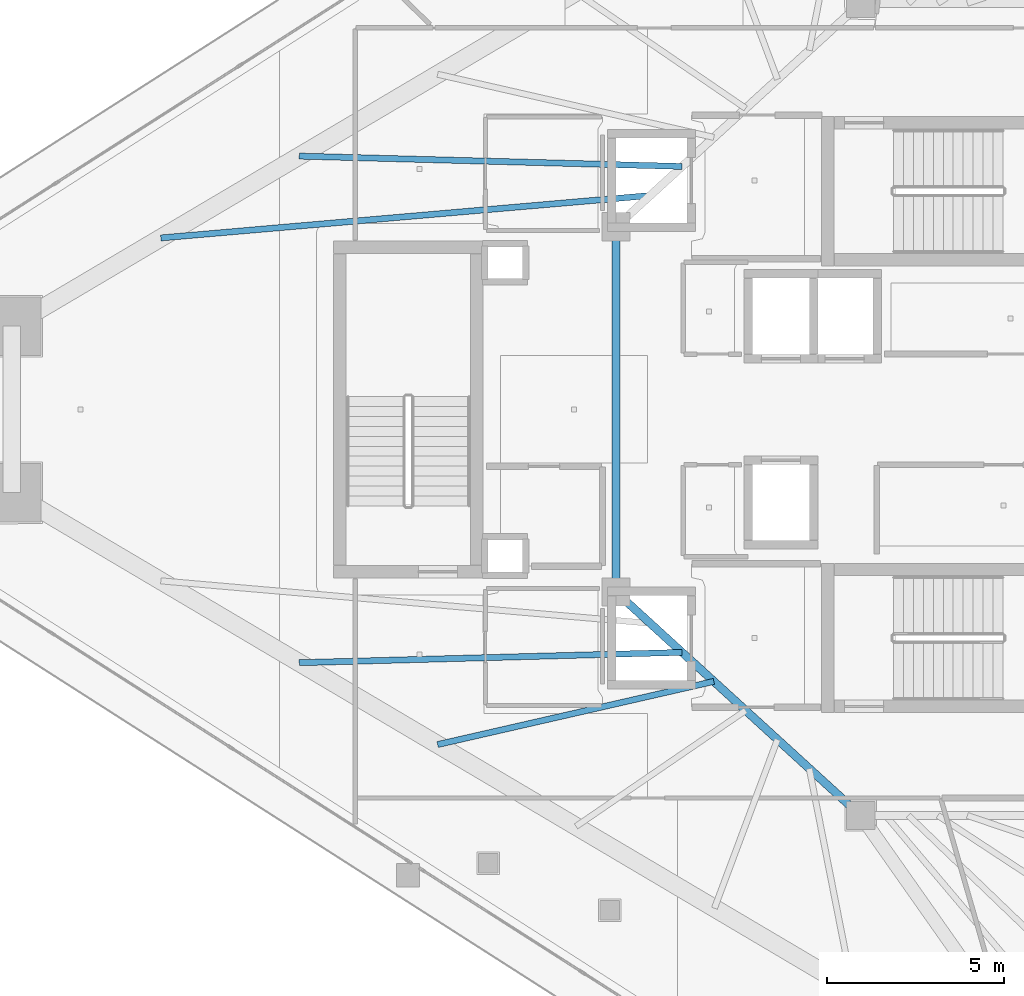
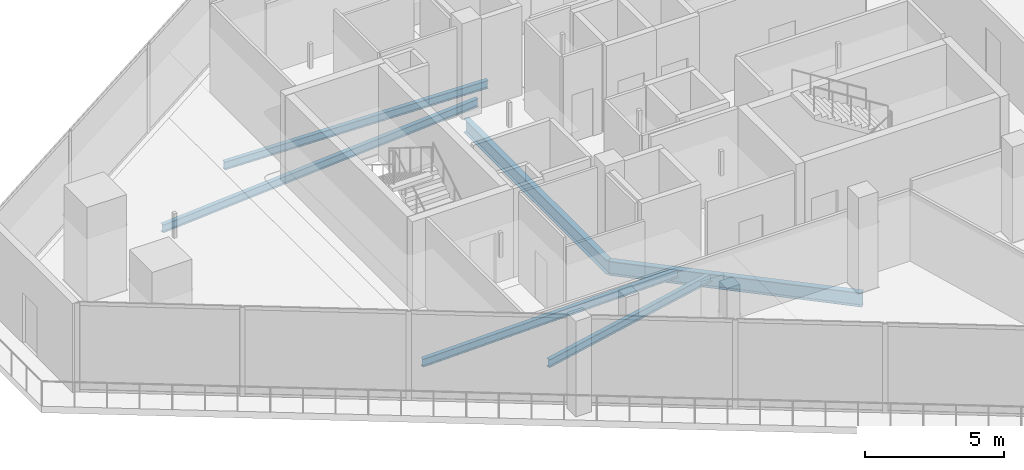
# One storey, part 9 of 31: 6 beams.
"""IFC4 building model written with IfcOpenShell, lengths in metres."""

from ifc_helpers import new_model, si_unit, direction, frame, origin, origin_2d, place, context, subcontext, project, spatial, i_section, extrude, material, material_profile, profile_set, type_object, element, save


model = new_model("IFC4")

# Units and contexts
model_context = context("Model", 3, precision=1e-05, world=origin(), true_north=direction((0.0, 1.0)))
body_context = subcontext(model_context, "Body", "Model", "MODEL_VIEW")
ifc_project = project(units=[si_unit("LENGTHUNIT", "METRE"), si_unit("AREAUNIT", "SQUARE_METRE"), si_unit("VOLUMEUNIT", "CUBIC_METRE"), si_unit("PLANEANGLEUNIT", "RADIAN"), si_unit("MASSUNIT", "GRAM", prefix="KILO")], contexts=[model_context])

# Site, building, storey
site_placement = place(None, origin())
site = spatial("IfcSite", under=ifc_project, at=site_placement, CompositionType="ELEMENT")
building_placement = place(site_placement, origin())
building = spatial("IfcBuilding", under=site, at=building_placement, Name="Qorvath Tower", CompositionType="ELEMENT")
storey_placement = place(building_placement, frame((0.0, 0.0, 264.0)))
storey = spatial("IfcBuildingStorey", under=building, at=storey_placement, Name="L61", CompositionType="ELEMENT", Elevation=264.0)

# Beams
ifc_material_1 = material(Name="Steel ASTM A992 Grade 50", Category="steel")
ifc_material_profile_1 = material_profile(ifc_material_1, i_section(OverallWidth=0.22998046875, OverallDepth=0.616943359375, WebThickness=0.01318359375, FlangeThickness=0.022216796875, FilletRadius=0.014892578125, at=origin_2d()), Name="W24x94")
ifc_profile_set_1 = profile_set([ifc_material_profile_1], Name="Steel ASTM A992 Grade 50")
beam_type_1 = type_object("IfcBeamType", Name="BM-FG6", PredefinedType="BEAM", material=ifc_profile_set_1)
beam_1_placement = place(storey_placement, frame((-23.60009765625, -11.449951171875, -0.598388671875), z_axis=(-0.73847813985, 0.6742774184, 0.0), x_axis=(-0.6742774184, -0.73847813985, 0.0)))
element("IfcBeam", 1, at=beam_1_placement, inside=storey, type_object=beam_type_1, Name="Core Ring Girder CC4-CC6 L61", PredefinedType="BEAM", context=body_context, shape_type="SweptSolid", body=[
    extrude(i_section(OverallWidth=0.22998046875, OverallDepth=0.616943359375, WebThickness=0.01318359375, FlangeThickness=0.022216796875, FilletRadius=0.014892578125, at=origin_2d()), origin(), (0.0, 0.0, 1.0), 9.343505859375),
])
beam_2_placement = place(storey_placement, frame((-30.5, -5.14990234375, -0.598388671875), z_axis=(0.0, 1.0, 0.0), x_axis=(-1.0, 0.0, 0.0)))
element("IfcBeam", 2, at=beam_2_placement, inside=storey, type_object=beam_type_1, Name="Core Ring Girder CC6-CC5 L61", PredefinedType="BEAM", context=body_context, shape_type="SweptSolid", body=[
    extrude(i_section(OverallWidth=0.22998046875, OverallDepth=0.616943359375, WebThickness=0.01318359375, FlangeThickness=0.022216796875, FilletRadius=0.014892578125, at=origin_2d()), origin(), (0.0, 0.0, 1.0), 10.2998046875),
])
ifc_material_2 = material(Name="Steel ASTM A992 Grade 50", Category="steel")
ifc_material_profile_2 = material_profile(ifc_material_2, i_section(OverallWidth=0.1708984375, OverallDepth=0.35107421875, WebThickness=0.0068359375, FlangeThickness=0.009765625, FilletRadius=0.010009765625, at=origin_2d()), Name="W14x30")
ifc_profile_set_2 = profile_set([ifc_material_profile_2], Name="Steel ASTM A992 Grade 50")
beam_type_2 = type_object("IfcBeamType", Name="BM-FJ4", PredefinedType="JOIST", material=ifc_profile_set_2)
beam_3_placement = place(storey_placement, frame((-29.533935546875, 6.031982421875, -0.465576171875), z_axis=(-0.996257895131, -0.086430355719, 0.0), x_axis=(0.086430355719, -0.996257895131, 0.0)))
element("IfcBeam", 3, at=beam_3_placement, inside=storey, type_object=beam_type_2, Name="Composite Floor Joist NW1 L61", PredefinedType="JOIST", context=body_context, shape_type="SweptSolid", body=[
    extrude(i_section(OverallWidth=0.1708984375, OverallDepth=0.35107421875, WebThickness=0.0068359375, FlangeThickness=0.009765625, FilletRadius=0.010009765625, at=origin_2d()), origin(), (0.0, 0.0, 1.0), 13.852294921875),
])
for number, where, z_axis, x_axis, name in (
    (4, (-28.636962890625, 6.85107421875, -0.465576171875), (-0.999635580213, 0.026994569327, 0.0), (-0.026994569327, -0.999635580213, 0.0), "Composite Floor Joist NW2 L61"),
    (5, (-28.636962890625, -6.85107421875, -0.465576171875), (-0.999635580213, -0.026994569327, 0.0), (0.026994569327, -0.999635580213, 0.0), "Composite Floor Joist SW2 L61"),
):
    element("IfcBeam", number, at=place(storey_placement, frame(where, z_axis=z_axis, x_axis=x_axis)), inside=storey, type_object=beam_type_2, Name=name, PredefinedType="JOIST", context=body_context, shape_type="SweptSolid", body=[
        extrude(i_section(OverallWidth=0.1708984375, OverallDepth=0.35107421875, WebThickness=0.0068359375, FlangeThickness=0.009765625, FilletRadius=0.010009765625, at=origin_2d()), origin(), (0.0, 0.0, 1.0), 10.798583984375),
    ])
beam_4_placement = place(storey_placement, frame((-27.739990234375, -7.669921875, -0.465576171875), z_axis=(-0.974852627195, -0.222850522212, 0.0), x_axis=(0.222850522212, -0.974852627195, 0.0)))
element("IfcBeam", 6, at=beam_4_placement, inside=storey, type_object=beam_type_2, Name="Composite Floor Joist SW3 L61", PredefinedType="JOIST", context=body_context, shape_type="SweptSolid", body=[
    extrude(i_section(OverallWidth=0.1708984375, OverallDepth=0.35107421875, WebThickness=0.0068359375, FlangeThickness=0.009765625, FilletRadius=0.010009765625, at=origin_2d()), origin(), (0.0, 0.0, 1.0), 7.98974609375),
])

save(model, "model.ifc")
